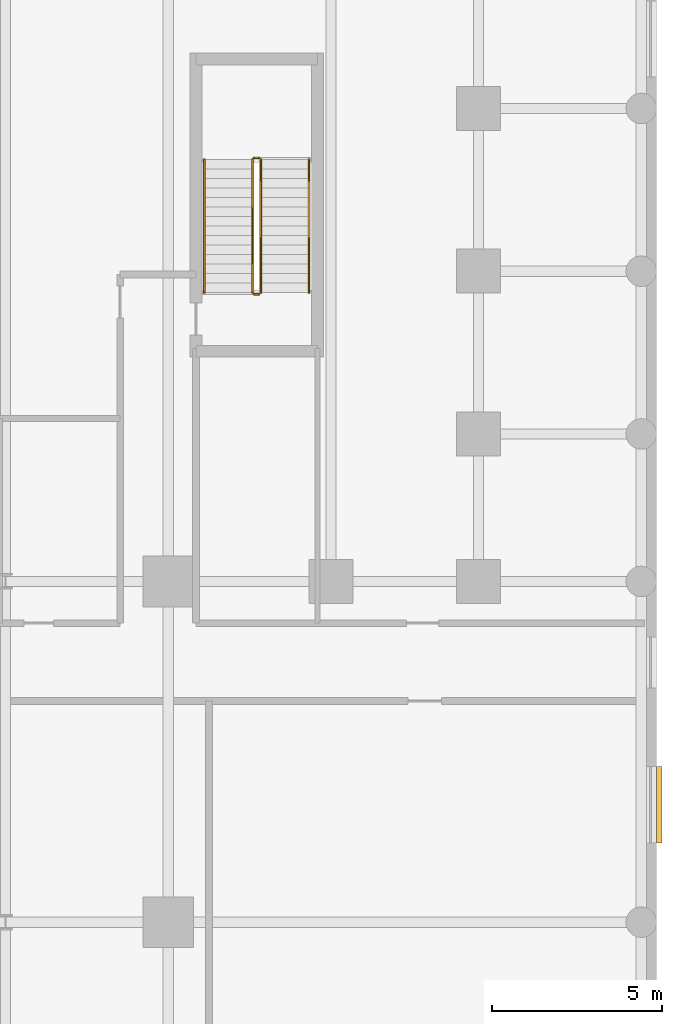
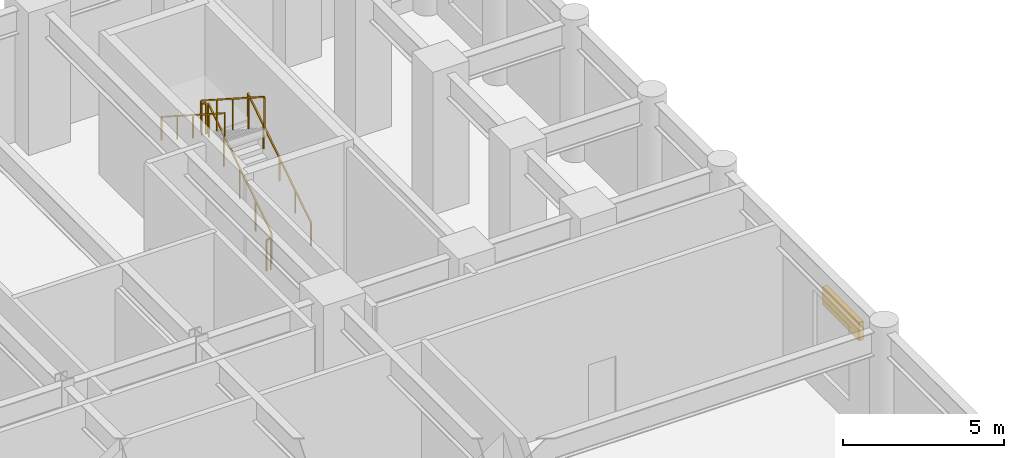
# One storey, part 10 of 10: 6 railings, 1 shading device.
"""IFC4 building model written with IfcOpenShell, lengths in metres."""

from ifc_helpers import new_model, si_unit, direction, frame, origin, origin_2d, place, context, subcontext, project, spatial, rectangle, extrude, material, type_object, element, save


model = new_model("IFC4")

# Units and contexts
model_context = context("Model", 3, precision=1e-05, world=origin(), true_north=direction((0.0, 1.0)))
body_context = subcontext(model_context, "Body", "Model", "MODEL_VIEW")
ifc_project = project(units=[si_unit("LENGTHUNIT", "METRE"), si_unit("AREAUNIT", "SQUARE_METRE"), si_unit("VOLUMEUNIT", "CUBIC_METRE"), si_unit("PLANEANGLEUNIT", "RADIAN"), si_unit("MASSUNIT", "GRAM", prefix="KILO")], contexts=[model_context])

# Site, building, storey
site_placement = place(None, origin())
site = spatial("IfcSite", under=ifc_project, at=site_placement, CompositionType="ELEMENT")
building_placement = place(site_placement, origin())
building = spatial("IfcBuilding", under=site, at=building_placement, Name="Orvandelia Arch Residences", CompositionType="ELEMENT")
storey_placement = place(building_placement, frame((0.0, 0.0, 19.60009765625)))
storey = spatial("IfcBuildingStorey", under=building, at=storey_placement, Name="L04", CompositionType="ELEMENT", Elevation=19.60009765625)

# Railings
ifc_material_1 = material(Name="Brushed Stainless Steel 304", Category="steel")
railing_type_1 = type_object("IfcRailingType", Name="RL-STAIR-GD1120", PredefinedType="GUARDRAIL", material=ifc_material_1)
railing_1_placement = place(storey_placement, frame((45.929931640625, 37.77001953125, 0.179931640625)))
element("IfcRailing", 1, at=railing_1_placement, inside=storey, type_object=railing_type_1, Name="L04 ST-3 stair guard 1", PredefinedType="GUARDRAIL", context=body_context, shape_type="SweptSolid", body=[
    extrude(rectangle(XDim=0.048095703125, YDim=0.048095703125, at=origin_2d()), frame((0.0, 0.0, 1.17578125), z_axis=(0.0, 0.841171666519, 0.540768182723), x_axis=(-1.0, 0.0, 0.0)), (0.0, 0.0, 1.0), 4.66015625),
    extrude(rectangle(XDim=0.0419921875, YDim=0.0419921875, at=origin_2d()), origin(), (0.0, 0.0, 1.0), 1.15185546875),
    extrude(rectangle(XDim=0.0419921875, YDim=0.0419921875, at=origin_2d()), frame((0.0, 0.97998046875, 0.6298828125)), (0.0, 0.0, 1.0), 1.15185546875),
    extrude(rectangle(XDim=0.0419921875, YDim=0.0419921875, at=origin_2d()), frame((0.0, 1.9599609375, 1.260009765625)), (0.0, 0.0, 1.0), 1.15185546875),
    extrude(rectangle(XDim=0.0419921875, YDim=0.0419921875, at=origin_2d()), frame((0.0, 2.93994140625, 1.89013671875)), (0.0, 0.0, 1.0), 1.15185546875),
    extrude(rectangle(XDim=0.0419921875, YDim=0.0419921875, at=origin_2d()), frame((0.0, 3.919921875, 2.52001953125)), (0.0, 0.0, 1.0), 1.15185546875),
])
railing_2_placement = place(storey_placement, frame((45.8798828125, 41.739990234375, 2.699951171875)))
element("IfcRailing", 2, at=railing_2_placement, inside=storey, type_object=railing_type_1, Name="L04 ST-3 stair guard 2", PredefinedType="GUARDRAIL", context=body_context, shape_type="SweptSolid", body=[
    extrude(rectangle(XDim=0.048095703125, YDim=0.048095703125, at=origin_2d()), frame((0.0, 0.0, 1.17578125), z_axis=(-1.0, 0.0, 0.0), x_axis=(0.0, -1.0, 0.0)), (0.0, 0.0, 1.0), 0.14990234375),
    extrude(rectangle(XDim=0.0419921875, YDim=0.0419921875, at=origin_2d()), origin(), (0.0, 0.0, 1.0), 1.15185546875),
    extrude(rectangle(XDim=0.0419921875, YDim=0.0419921875, at=origin_2d()), frame((-0.14990234375, 0.0, 0.0)), (0.0, 0.0, 1.0), 1.15185546875),
])
railing_3_placement = place(storey_placement, frame((45.679931640625, 41.68994140625, 2.8798828125)))
element("IfcRailing", 3, at=railing_3_placement, inside=storey, type_object=railing_type_1, Name="L04 ST-3 stair guard 3", PredefinedType="GUARDRAIL", context=body_context, shape_type="SweptSolid", body=[
    extrude(rectangle(XDim=0.048095703125, YDim=0.048095703125, at=origin_2d()), frame((0.0, 0.0, 1.17578125), z_axis=(0.0, -0.841171666519, 0.540768182723), x_axis=(1.0, 0.0, 0.0)), (0.0, 0.0, 1.0), 4.66015625),
    extrude(rectangle(XDim=0.0419921875, YDim=0.0419921875, at=origin_2d()), origin(), (0.0, 0.0, 1.0), 1.15185546875),
    extrude(rectangle(XDim=0.0419921875, YDim=0.0419921875, at=origin_2d()), frame((0.0, -0.97998046875, 0.6298828125)), (0.0, 0.0, 1.0), 1.15185546875),
    extrude(rectangle(XDim=0.0419921875, YDim=0.0419921875, at=origin_2d()), frame((0.0, -1.9599609375, 1.260009765625)), (0.0, 0.0, 1.0), 1.15185546875),
    extrude(rectangle(XDim=0.0419921875, YDim=0.0419921875, at=origin_2d()), frame((0.0, -2.93994140625, 1.89013671875)), (0.0, 0.0, 1.0), 1.15185546875),
    extrude(rectangle(XDim=0.0419921875, YDim=0.0419921875, at=origin_2d()), frame((0.0, -3.919921875, 2.52001953125)), (0.0, 0.0, 1.0), 1.15185546875),
])
railing_4_placement = place(storey_placement, frame((45.8798828125, 37.719970703125, 0.0)))
element("IfcRailing", 4, at=railing_4_placement, inside=storey, type_object=railing_type_1, Name="L04 ST-3 stair guard 4", PredefinedType="GUARDRAIL", context=body_context, shape_type="SweptSolid", body=[
    extrude(rectangle(XDim=0.048095703125, YDim=0.048095703125, at=origin_2d()), frame((0.0, 0.0, 1.17578125), z_axis=(-1.0, 0.0, 0.0), x_axis=(0.0, -1.0, 0.0)), (0.0, 0.0, 1.0), 0.14990234375),
    extrude(rectangle(XDim=0.0419921875, YDim=0.0419921875, at=origin_2d()), origin(), (0.0, 0.0, 1.0), 1.15185546875),
    extrude(rectangle(XDim=0.0419921875, YDim=0.0419921875, at=origin_2d()), frame((-0.14990234375, 0.0, 0.0)), (0.0, 0.0, 1.0), 1.15185546875),
])
railing_type_2 = type_object("IfcRailingType", Name="RL-STAIR-HR920", PredefinedType="HANDRAIL", material=ifc_material_1)
railing_5_placement = place(storey_placement, frame((47.35009765625, 37.77001953125, 0.35986328125)))
element("IfcRailing", 5, at=railing_5_placement, inside=storey, type_object=railing_type_2, Name="L04 ST-3 stair handrail 1", PredefinedType="HANDRAIL", context=body_context, shape_type="SweptSolid", body=[
    extrude(rectangle(XDim=0.048095703125, YDim=0.048095703125, at=origin_2d()), frame((0.0, 0.0, 0.8759765625), z_axis=(0.0, 0.841171666519, 0.540768182723), x_axis=(-1.0, 0.0, 0.0)), (0.0, 0.0, 1.0), 4.66015625),
    extrude(rectangle(XDim=0.0419921875, YDim=0.0419921875, at=origin_2d()), origin(), (0.0, 0.0, 1.0), 0.851806640625),
    extrude(rectangle(XDim=0.0419921875, YDim=0.0419921875, at=origin_2d()), frame((0.0, 0.97998046875, 0.6298828125)), (0.0, 0.0, 1.0), 0.851806640625),
    extrude(rectangle(XDim=0.0419921875, YDim=0.0419921875, at=origin_2d()), frame((0.0, 1.9599609375, 1.260009765625)), (0.0, 0.0, 1.0), 0.851806640625),
    extrude(rectangle(XDim=0.0419921875, YDim=0.0419921875, at=origin_2d()), frame((0.0, 2.93994140625, 1.89013671875)), (0.0, 0.0, 1.0), 0.851806640625),
    extrude(rectangle(XDim=0.0419921875, YDim=0.0419921875, at=origin_2d()), frame((0.0, 3.919921875, 2.52001953125)), (0.0, 0.0, 1.0), 0.851806640625),
])
railing_6_placement = place(storey_placement, frame((44.260009765625, 41.68994140625, 3.059814453125)))
element("IfcRailing", 6, at=railing_6_placement, inside=storey, type_object=railing_type_2, Name="L04 ST-3 stair handrail 2", PredefinedType="HANDRAIL", context=body_context, shape_type="SweptSolid", body=[
    extrude(rectangle(XDim=0.048095703125, YDim=0.048095703125, at=origin_2d()), frame((0.0, 0.0, 0.8759765625), z_axis=(0.0, -0.841171666519, 0.540768182723), x_axis=(1.0, 0.0, 0.0)), (0.0, 0.0, 1.0), 4.66015625),
    extrude(rectangle(XDim=0.0419921875, YDim=0.0419921875, at=origin_2d()), origin(), (0.0, 0.0, 1.0), 0.851806640625),
    extrude(rectangle(XDim=0.0419921875, YDim=0.0419921875, at=origin_2d()), frame((0.0, -0.97998046875, 0.6298828125)), (0.0, 0.0, 1.0), 0.851806640625),
    extrude(rectangle(XDim=0.0419921875, YDim=0.0419921875, at=origin_2d()), frame((0.0, -1.9599609375, 1.260009765625)), (0.0, 0.0, 1.0), 0.851806640625),
    extrude(rectangle(XDim=0.0419921875, YDim=0.0419921875, at=origin_2d()), frame((0.0, -2.93994140625, 1.89013671875)), (0.0, 0.0, 1.0), 0.851806640625),
    extrude(rectangle(XDim=0.0419921875, YDim=0.0419921875, at=origin_2d()), frame((0.0, -3.919921875, 2.52001953125)), (0.0, 0.0, 1.0), 0.851806640625),
])

# Shading device
ifc_material_2 = material(Name="Anodised Champagne-Bronze Extruded Aluminium", Category="aluminium")
shading_device_type = type_object("IfcShadingDeviceType", Name="SHD-JALOUSIE-SCREEN", PredefinedType="JALOUSIE", material=ifc_material_2)
shading_device_placement = place(storey_placement, frame((57.679931640625, 22.6650390625, 3.0), z_axis=(0.0, 0.0, 1.0), x_axis=(0.0, -1.0, 0.0)))
element("IfcShadingDevice", 7, at=shading_device_placement, inside=storey, type_object=shading_device_type, Name="Bronze Jalousie Sun-Shade L04-001", PredefinedType="JALOUSIE", context=body_context, shape_type="SweptSolid", body=[
    extrude(rectangle(XDim=2.25, YDim=0.159912109375, at=origin_2d()), origin(), (0.0, 0.0, 1.0), 0.699951171875),
])

save(model, "model.ifc")
